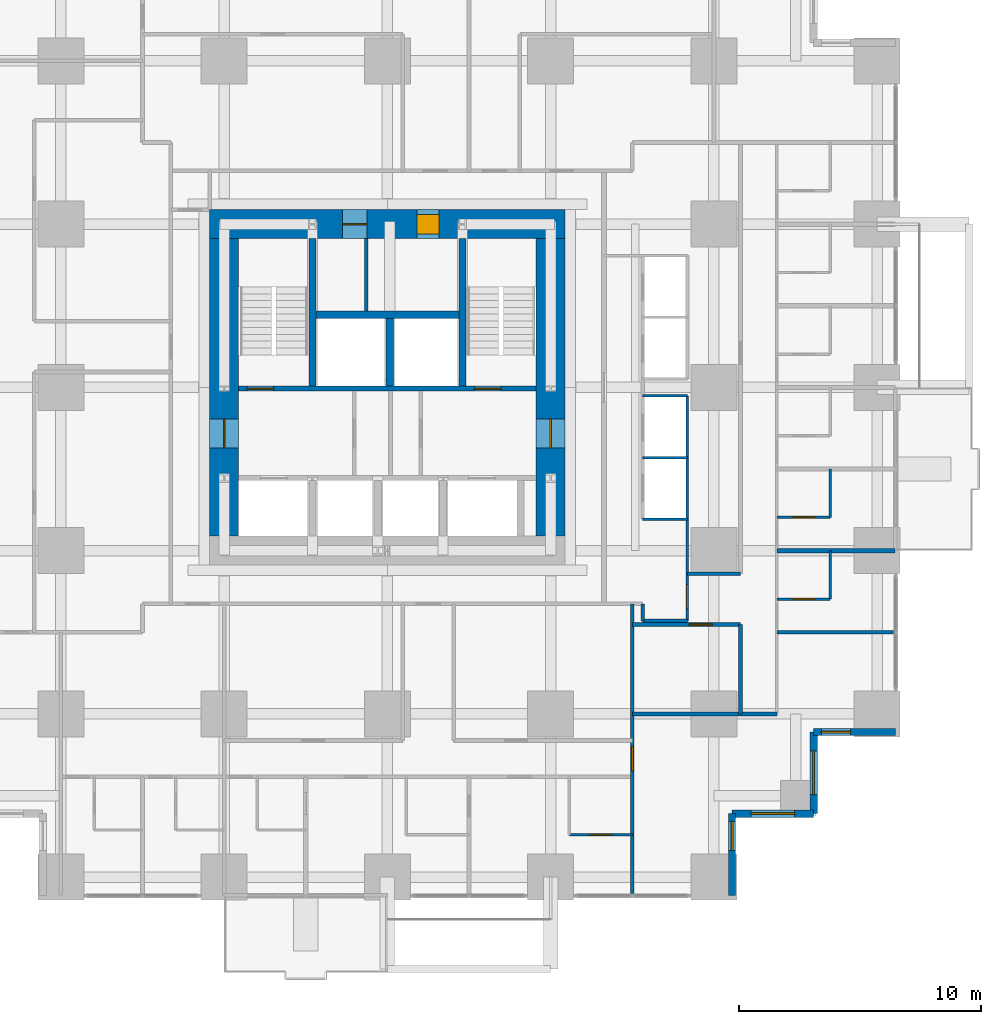
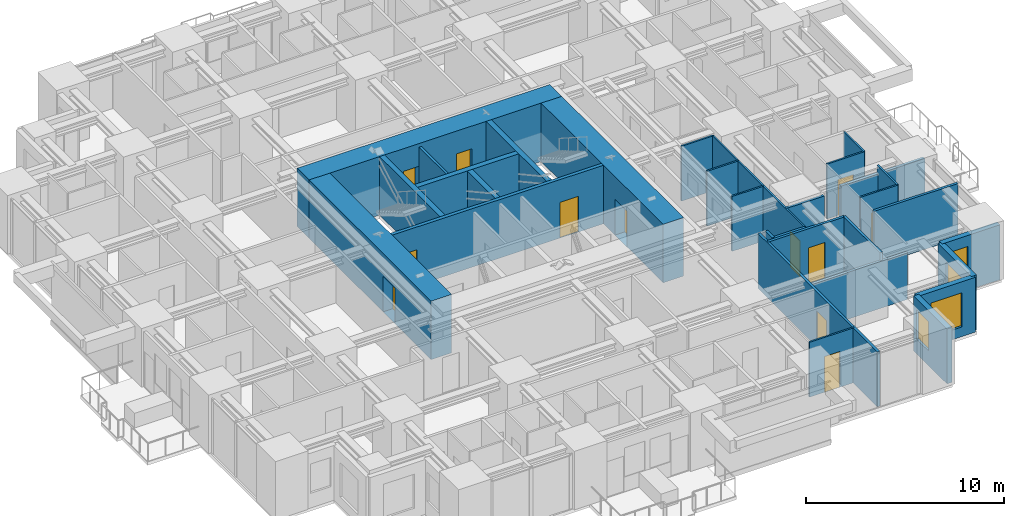
# One storey, part 10 of 15: 31 walls, 12 doors, 4 windows, 16 openings.
"""IFC4 building model written with IfcOpenShell, lengths in metres."""

from ifc_helpers import new_model, si_unit, direction, frame, frame_2d, origin, place, context, subcontext, project, spatial, rectangle, extrude, material, layer, layer_set, type_object, element, fill, save


model = new_model("IFC4")

# Units and contexts
model_context = context("Model", 3, precision=1e-05, world=origin(), true_north=direction((0.0, 1.0)))
body_context = subcontext(model_context, "Body", "Model", "MODEL_VIEW")
ifc_project = project(units=[si_unit("LENGTHUNIT", "METRE"), si_unit("AREAUNIT", "SQUARE_METRE"), si_unit("VOLUMEUNIT", "CUBIC_METRE"), si_unit("PLANEANGLEUNIT", "RADIAN"), si_unit("MASSUNIT", "GRAM", prefix="KILO")], contexts=[model_context])

# Site, building, storey
site_placement = place(None, origin())
site = spatial("IfcSite", under=ifc_project, at=site_placement, CompositionType="ELEMENT")
building_placement = place(site_placement, origin())
building = spatial("IfcBuilding", under=site, at=building_placement, Name="Nyansa Garden Tower", CompositionType="ELEMENT")
storey_placement = place(building_placement, frame((0.0, 0.0, 25.199951171875)))
storey = spatial("IfcBuildingStorey", under=building, at=storey_placement, Name="L06", CompositionType="ELEMENT", Elevation=25.199951171875)

# Wall
ifc_material_1 = material(Name="Dense blockwork, plastered both sides, 55 dB", Category="masonry")
ifc_layer_1 = layer(ifc_material_1, 0.175048828125)
ifc_layer_set_1 = layer_set([ifc_layer_1], Name="Acoustic party wall PW175")
wall_type_1 = type_object("IfcWallType", Name="Acoustic party wall PW175", PredefinedType="PARTITIONING", material=ifc_layer_set_1)
wall_1_placement = place(storey_placement, frame((36.35009765625, 13.5, 0.0), z_axis=(0.0, 0.0, 1.0), x_axis=(1.0, 0.0, 0.0)))
element("IfcWall", 1, at=wall_1_placement, inside=storey, type_object=wall_type_1, Name="Party wall", PredefinedType="PARTITIONING", context=body_context, shape_type="SweptSolid", body=[
    extrude(rectangle(XDim=4.8837890625, YDim=0.175048828125, at=frame_2d((2.44189453125, 0.0))), origin(), (0.0, 0.0, 1.0), 2.876953125),
])

# Wall, openings, doors
ifc_material_2 = material(Name="Concrete C70/85", Category="concrete")
ifc_layer_2 = layer(ifc_material_2, 0.199951171875)
ifc_layer_set_2 = layer_set([ifc_layer_2], Name="Core inner wall CI200")
wall_type_2 = type_object("IfcWallType", Name="Core inner wall CI200", PredefinedType="SHEAR", material=ifc_layer_set_2)
wall_2_placement = place(storey_placement, frame((14.10009765625, 20.199951171875, 0.0), z_axis=(0.0, 0.0, 1.0), x_axis=(1.0, 0.0, 0.0)))
wall_2 = element("IfcWall", 2, at=wall_2_placement, inside=storey, type_object=wall_type_2, Name="Core inner wall L06", PredefinedType="SHEAR", context=body_context, shape_type="SweptSolid", body=[
    extrude(rectangle(XDim=12.2998046875, YDim=0.199951171875, at=frame_2d((6.14990234375, 0.0))), origin(), (0.0, 0.0, 1.0), 3.60009765625),
])
opening_1_placement = place(wall_2_placement, frame((0.35009765625, 0.0, 0.0)))
opening_1 = element("IfcOpeningElement", 3, at=opening_1_placement, cuts=wall_2, Name="Opening D05", PredefinedType="OPENING", context=body_context, shape_type="SweptSolid", body=[
    extrude(rectangle(XDim=1.10009765625, YDim=2.199951171875, at=frame_2d((0.550048828125, 1.10009765625))), frame((0.0, 0.10986328125, 0.0), z_axis=(0.0, -1.0, 0.0), x_axis=(1.0, 0.0, 0.0)), (0.0, 0.0, 1.0), 0.219970703125),
])
opening_2_placement = place(wall_2_placement, frame((9.75, 0.0, 0.0)))
opening_2 = element("IfcOpeningElement", 4, at=opening_2_placement, cuts=wall_2, Name="Opening D05", PredefinedType="OPENING", context=body_context, shape_type="SweptSolid", body=[
    extrude(rectangle(XDim=1.10009765625, YDim=2.199951171875, at=frame_2d((0.550048828125, 1.10009765625))), frame((0.0, 0.10986328125, 0.0), z_axis=(0.0, -1.0, 0.0), x_axis=(1.0, 0.0, 0.0)), (0.0, 0.0, 1.0), 0.219970703125),
])
ifc_material_3 = material(Name="Steel door, 120 minute fire resisting", Category="steel")
door_type_1 = type_object("IfcDoorType", Name="Stair door D05 1100x2200", OperationType="SINGLE_SWING_LEFT", PredefinedType="DOOR", material=ifc_material_3)
door_1_placement = place(opening_1_placement, origin())
door_1 = element("IfcDoor", 5, at=door_1_placement, inside=storey, type_object=door_type_1, Name="Stair S1 door", OperationType="SINGLE_SWING_LEFT", OverallHeight=2.199951171875, OverallWidth=1.10009765625, PredefinedType="DOOR", context=body_context, shape_type="SweptSolid", body=[
    extrude(rectangle(XDim=1.10009765625, YDim=2.199951171875, at=frame_2d((0.550048828125, 1.10009765625))), frame((0.0, 0.02490234375, 0.0), z_axis=(0.0, -1.0, 0.0), x_axis=(1.0, 0.0, 0.0)), (0.0, 0.0, 1.0), 0.050048828125),
])
fill(opening_1, door_1)
door_2_placement = place(opening_2_placement, origin())
door_2 = element("IfcDoor", 6, at=door_2_placement, inside=storey, type_object=door_type_1, Name="Stair S2 door", OperationType="SINGLE_SWING_LEFT", OverallHeight=2.199951171875, OverallWidth=1.10009765625, PredefinedType="DOOR", context=body_context, shape_type="SweptSolid", body=[
    extrude(rectangle(XDim=1.10009765625, YDim=2.199951171875, at=frame_2d((0.550048828125, 1.10009765625))), frame((0.0, 0.02490234375, 0.0), z_axis=(0.0, -1.0, 0.0), x_axis=(1.0, 0.0, 0.0)), (0.0, 0.0, 1.0), 0.050048828125),
])
fill(opening_2, door_2)

# Walls
ifc_material_4 = material(Name="Concrete C70/85", Category="concrete")
ifc_layer_3 = layer(ifc_material_4, 0.300048828125)
ifc_layer_set_3 = layer_set([ifc_layer_3], Name="Core inner wall CI300")
wall_type_3 = type_object("IfcWallType", Name="Core inner wall CI300", PredefinedType="SHEAR", material=ifc_layer_set_3)
for number, where, z_axis, x_axis, name in (
    (7, (17.14990234375, 20.300048828125, 0.0), (0.0, 0.0, 1.0), (0.0, 1.0, 0.0), "Core inner wall L06"),
    (8, (23.35009765625, 20.300048828125, 0.0), (0.0, 0.0, 1.0), (0.0, 1.0, 0.0), "Core inner wall L06"),
):
    element("IfcWall", number, at=place(storey_placement, frame(where, z_axis=z_axis, x_axis=x_axis)), inside=storey, type_object=wall_type_3, Name=name, PredefinedType="SHEAR", context=body_context, shape_type="SweptSolid", body=[
        extrude(rectangle(XDim=6.099853515625, YDim=0.300048828125, at=frame_2d((3.0498046875, 0.0))), origin(), (0.0, 0.0, 1.0), 3.60009765625),
    ])
wall_3_placement = place(storey_placement, frame((20.35009765625, 20.300048828125, 0.0), z_axis=(0.0, 0.0, 1.0), x_axis=(0.0, 1.0, 0.0)))
element("IfcWall", 9, at=wall_3_placement, inside=storey, type_object=wall_type_3, Name="Core inner wall L06", PredefinedType="SHEAR", context=body_context, shape_type="SweptSolid", body=[
    extrude(rectangle(XDim=2.800048828125, YDim=0.300048828125, at=frame_2d((1.39990234375, 0.0))), origin(), (0.0, 0.0, 1.0), 3.60009765625),
])
wall_4_placement = place(storey_placement, frame((17.300048828125, 23.25, 0.0), z_axis=(0.0, 0.0, 1.0), x_axis=(1.0, 0.0, 0.0)))
element("IfcWall", 10, at=wall_4_placement, inside=storey, type_object=wall_type_3, Name="Core inner wall L06", PredefinedType="SHEAR", context=body_context, shape_type="SweptSolid", body=[
    extrude(rectangle(XDim=5.89990234375, YDim=0.300048828125, at=frame_2d((2.949951171875, 0.0))), origin(), (0.0, 0.0, 1.0), 3.60009765625),
])

# Wall, opening, door
ifc_material_5 = material(Name="Concrete C80/95", Category="concrete")
ifc_layer_4 = layer(ifc_material_5, 1.199951171875)
ifc_layer_set_4 = layer_set([ifc_layer_4], Name="Core wall CW1200")
wall_type_4 = type_object("IfcWallType", Name="Core wall CW1200", PredefinedType="SHEAR", material=ifc_layer_set_4)
wall_5_placement = place(storey_placement, frame((27.0, 14.10009765625, 0.0), z_axis=(0.0, 0.0, 1.0), x_axis=(0.0, 1.0, 0.0)))
wall_5 = element("IfcWall", 11, at=wall_5_placement, inside=storey, type_object=wall_type_4, Name="Core wall E L06", PredefinedType="SHEAR", context=body_context, shape_type="SweptSolid", body=[
    extrude(rectangle(XDim=12.2998046875, YDim=1.199951171875, at=frame_2d((6.14990234375, 0.0))), origin(), (0.0, 0.0, 1.0), 3.60009765625),
])
opening_3_placement = place(wall_5_placement, frame((3.64990234375, 0.0, 0.0)))
opening_3 = element("IfcOpeningElement", 12, at=opening_3_placement, cuts=wall_5, Name="Opening D06", PredefinedType="OPENING", context=body_context, shape_type="SweptSolid", body=[
    extrude(rectangle(XDim=1.199951171875, YDim=2.199951171875, at=frame_2d((0.60009765625, 1.10009765625))), frame((0.0, 0.60986328125, 0.0), z_axis=(0.0, -1.0, 0.0), x_axis=(1.0, 0.0, 0.0)), (0.0, 0.0, 1.0), 1.219970703125),
])
ifc_material_6 = material(Name="Steel door, 120 minute fire resisting", Category="steel")
door_type_2 = type_object("IfcDoorType", Name="Lobby door D06 1200x2200", OperationType="DOUBLE_DOOR_SINGLE_SWING", PredefinedType="DOOR", material=ifc_material_6)
door_3_placement = place(opening_3_placement, origin())
door_3 = element("IfcDoor", 13, at=door_3_placement, inside=storey, type_object=door_type_2, Name="Lift lobby door east", OperationType="DOUBLE_DOOR_SINGLE_SWING", OverallHeight=2.199951171875, OverallWidth=1.199951171875, PredefinedType="DOOR", context=body_context, shape_type="SweptSolid", body=[
    extrude(rectangle(XDim=1.199951171875, YDim=2.199951171875, at=frame_2d((0.60009765625, 1.10009765625))), frame((0.0, 0.02490234375, 0.0), z_axis=(0.0, -1.0, 0.0), x_axis=(1.0, 0.0, 0.0)), (0.0, 0.0, 1.0), 0.050048828125),
])
fill(opening_3, door_3)

# Wall, openings, doors
wall_6_placement = place(storey_placement, frame((27.60009765625, 27.0, 0.0), z_axis=(0.0, 0.0, 1.0), x_axis=(-1.0, 0.0, 0.0)))
wall_6 = element("IfcWall", 14, at=wall_6_placement, inside=storey, type_object=wall_type_4, Name="Core wall N L06", PredefinedType="SHEAR", context=body_context, shape_type="SweptSolid", body=[
    extrude(rectangle(XDim=14.7001953125, YDim=1.199951171875, at=frame_2d((7.35009765625, 0.0))), origin(), (0.0, 0.0, 1.0), 3.60009765625),
])
opening_4_placement = place(wall_6_placement, frame((5.22509765625, 0.0, 0.0)))
opening_4 = element("IfcOpeningElement", 15, at=opening_4_placement, cuts=wall_6, Name="Opening D15", PredefinedType="OPENING", context=body_context, shape_type="SweptSolid", body=[
    extrude(rectangle(XDim=0.89990234375, YDim=2.199951171875, at=frame_2d((0.449951171875, 1.10009765625))), frame((0.0, 0.60986328125, 0.0), z_axis=(0.0, -1.0, 0.0), x_axis=(1.0, 0.0, 0.0)), (0.0, 0.0, 1.0), 1.219970703125),
])
opening_5_placement = place(wall_6_placement, frame((8.199951171875, 0.0, 0.0)))
opening_5 = element("IfcOpeningElement", 16, at=opening_5_placement, cuts=wall_6, Name="Opening D07", PredefinedType="OPENING", context=body_context, shape_type="SweptSolid", body=[
    extrude(rectangle(XDim=1.0, YDim=2.199951171875, at=frame_2d((0.5, 1.10009765625))), frame((0.0, 0.60986328125, 0.0), z_axis=(0.0, -1.0, 0.0), x_axis=(1.0, 0.0, 0.0)), (0.0, 0.0, 1.0), 1.219970703125),
])
ifc_material_7 = material(Name="Timber flush door, 60 minute fire resisting, self-closing", Category="wood")
door_type_3 = type_object("IfcDoorType", Name="Core room door D15 900x2200", OperationType="SINGLE_SWING_LEFT", PredefinedType="DOOR", material=ifc_material_7)
door_4_placement = place(opening_4_placement, origin())
door_4 = element("IfcDoor", 17, at=door_4_placement, inside=storey, type_object=door_type_3, Name="Core room door", OperationType="SINGLE_SWING_LEFT", OverallHeight=2.199951171875, OverallWidth=0.89990234375, PredefinedType="DOOR", context=body_context, shape_type="SweptSolid", body=[
    extrude(rectangle(XDim=0.89990234375, YDim=2.199951171875, at=frame_2d((0.449951171875, 1.10009765625))), frame((0.0, 0.39990234375, 0.0), z_axis=(0.0, -1.0, 0.0), x_axis=(1.0, 0.0, 0.0)), (0.0, 0.0, 1.0), 0.800048828125),
])
fill(opening_4, door_4)
ifc_material_8 = material(Name="Steel door, 120 minute fire resisting", Category="steel")
door_type_4 = type_object("IfcDoorType", Name="Riser door D07 1000x2200", OperationType="SINGLE_SWING_LEFT", PredefinedType="DOOR", material=ifc_material_8)
door_5_placement = place(opening_5_placement, origin())
door_5 = element("IfcDoor", 18, at=door_5_placement, inside=storey, type_object=door_type_4, Name="Riser and refuse room door", OperationType="SINGLE_SWING_LEFT", OverallHeight=2.199951171875, OverallWidth=1.0, PredefinedType="DOOR", context=body_context, shape_type="SweptSolid", body=[
    extrude(rectangle(XDim=1.0, YDim=2.199951171875, at=frame_2d((0.5, 1.10009765625))), frame((0.0, 0.02490234375, 0.0), z_axis=(0.0, -1.0, 0.0), x_axis=(1.0, 0.0, 0.0)), (0.0, 0.0, 1.0), 0.050048828125),
])
fill(opening_5, door_5)

# Wall, opening, door
wall_7_placement = place(storey_placement, frame((13.5, 26.39990234375, 0.0), z_axis=(0.0, 0.0, 1.0), x_axis=(0.0, -1.0, 0.0)))
wall_7 = element("IfcWall", 19, at=wall_7_placement, inside=storey, type_object=wall_type_4, Name="Core wall W L06", PredefinedType="SHEAR", context=body_context, shape_type="SweptSolid", body=[
    extrude(rectangle(XDim=12.2998046875, YDim=1.199951171875, at=frame_2d((6.14990234375, 0.0))), origin(), (0.0, 0.0, 1.0), 3.60009765625),
])
opening_6_placement = place(wall_7_placement, frame((7.449951171875, 0.0, 0.0)))
opening_6 = element("IfcOpeningElement", 20, at=opening_6_placement, cuts=wall_7, Name="Opening D06", PredefinedType="OPENING", context=body_context, shape_type="SweptSolid", body=[
    extrude(rectangle(XDim=1.199951171875, YDim=2.199951171875, at=frame_2d((0.60009765625, 1.10009765625))), frame((0.0, 0.60986328125, 0.0), z_axis=(0.0, -1.0, 0.0), x_axis=(1.0, 0.0, 0.0)), (0.0, 0.0, 1.0), 1.219970703125),
])
door_6_placement = place(opening_6_placement, origin())
door_6 = element("IfcDoor", 21, at=door_6_placement, inside=storey, type_object=door_type_2, Name="Lift lobby door west", OperationType="DOUBLE_DOOR_SINGLE_SWING", OverallHeight=2.199951171875, OverallWidth=1.199951171875, PredefinedType="DOOR", context=body_context, shape_type="SweptSolid", body=[
    extrude(rectangle(XDim=1.199951171875, YDim=2.199951171875, at=frame_2d((0.60009765625, 1.10009765625))), frame((0.0, 0.02490234375, 0.0), z_axis=(0.0, -1.0, 0.0), x_axis=(1.0, 0.0, 0.0)), (0.0, 0.0, 1.0), 0.050048828125),
])
fill(opening_6, door_6)

# Walls
ifc_material_9 = material(Name="Steel-stud shaft wall, two layers fire-rated board, EI 120", Category="steel")
ifc_layer_5 = layer(ifc_material_9, 0.10009765625)
ifc_layer_set_5 = layer_set([ifc_layer_5], Name="Lift shaft wall SW100")
wall_type_5 = type_object("IfcWallType", Name="Lift shaft wall SW100", PredefinedType="SHEAR", material=ifc_layer_set_5)
for number, where, z_axis, x_axis, name in (
    (22, (30.800048828125, 14.800048828125, 0.0), (0.0, 0.0, 1.0), (1.0, 0.0, 0.0), "Lift shaft wall"),
    (23, (30.800048828125, 17.35009765625, 0.0), (0.0, 0.0, 1.0), (1.0, 0.0, 0.0), "Lift shaft wall"),
    (24, (30.800048828125, 19.89990234375, 0.0), (0.0, 0.0, 1.0), (1.0, 0.0, 0.0), "Lift shaft wall"),
):
    element("IfcWall", number, at=place(storey_placement, frame(where, z_axis=z_axis, x_axis=x_axis)), inside=storey, type_object=wall_type_5, Name=name, PredefinedType="SHEAR", context=body_context, shape_type="SweptSolid", body=[
        extrude(rectangle(XDim=1.849853515625, YDim=0.10009765625, at=frame_2d((0.9248046875, 0.0))), origin(), (0.0, 0.0, 1.0), 3.375),
    ])

# Wall, opening, door
wall_8_placement = place(storey_placement, frame((32.64990234375, 10.60009765625, 0.0), z_axis=(0.0, 0.0, 1.0), x_axis=(0.0, 1.0, 0.0)))
wall_8 = element("IfcWall", 25, at=wall_8_placement, inside=storey, type_object=wall_type_5, Name="Lift shaft wall", PredefinedType="SHEAR", context=body_context, shape_type="SweptSolid", body=[
    extrude(rectangle(XDim=9.2998046875, YDim=0.10009765625, at=frame_2d((4.64990234375, 0.0))), origin(), (0.0, 0.0, 1.0), 3.375),
])
opening_7_placement = place(wall_8_placement, frame((0.5, 0.0, 0.0)))
opening_7 = element("IfcOpeningElement", 26, at=opening_7_placement, cuts=wall_8, Name="Opening D03", PredefinedType="OPENING", context=body_context, shape_type="SweptSolid", body=[
    extrude(rectangle(XDim=1.0, YDim=2.199951171875, at=frame_2d((0.5, 1.10009765625))), frame((0.0, 0.06005859375, 0.0), z_axis=(0.0, -1.0, 0.0), x_axis=(1.0, 0.0, 0.0)), (0.0, 0.0, 1.0), 0.1201171875),
])
ifc_material_10 = material(Name="Timber flush door, 60 minute fire resisting", Category="wood")
door_type_5 = type_object("IfcDoorType", Name="Cluster entrance door D03 1000x2200", OperationType="SINGLE_SWING_LEFT", PredefinedType="DOOR", material=ifc_material_10)
door_7_placement = place(opening_7_placement, origin())
door_7 = element("IfcDoor", 27, at=door_7_placement, inside=storey, type_object=door_type_5, Name="Door L06-046", OperationType="SINGLE_SWING_LEFT", OverallHeight=2.199951171875, OverallWidth=1.0, PredefinedType="DOOR", context=body_context, shape_type="SweptSolid", body=[
    extrude(rectangle(XDim=1.0, YDim=2.199951171875, at=frame_2d((0.5, 1.10009765625))), frame((0.0, 0.02490234375, 0.0), z_axis=(0.0, -1.0, 0.0), x_axis=(1.0, 0.0, 0.0)), (0.0, 0.0, 1.0), 0.050048828125),
])
fill(opening_7, door_7)

# Wall
ifc_material_11 = material(Name="Blockwork, plastered both sides", Category="masonry")
ifc_layer_6 = layer(ifc_material_11, 0.14990234375)
ifc_layer_set_6 = layer_set([ifc_layer_6], Name="Partition PW150")
wall_type_6 = type_object("IfcWallType", Name="Partition PW150", PredefinedType="PARTITIONING", material=ifc_layer_set_6)
wall_9_placement = place(storey_placement, frame((19.375, 23.39990234375, 0.0), z_axis=(0.0, 0.0, 1.0), x_axis=(0.0, 1.0, 0.0)))
element("IfcWall", 28, at=wall_9_placement, inside=storey, type_object=wall_type_6, Name="Partition", PredefinedType="PARTITIONING", context=body_context, shape_type="SweptSolid", body=[
    extrude(rectangle(XDim=3.0, YDim=0.14990234375, at=frame_2d((1.5, 0.0))), origin(), (0.0, 0.0, 1.0), 3.375),
])

# Wall, opening, door
wall_10_placement = place(storey_placement, frame((30.375, -0.73388671875, 0.0), z_axis=(0.0, 0.0, 1.0), x_axis=(0.0, 1.0, 0.0)))
wall_10 = element("IfcWall", 29, at=wall_10_placement, inside=storey, type_object=wall_type_6, Name="Partition", PredefinedType="PARTITIONING", context=body_context, shape_type="SweptSolid", body=[
    extrude(rectangle(XDim=12.033935546875, YDim=0.14990234375, at=frame_2d((6.01708984375, 0.0))), origin(), (0.0, 0.0, 1.0), 3.375),
])
opening_8_placement = place(wall_10_placement, frame((5.134033203125, 0.0, 0.0)))
opening_8 = element("IfcOpeningElement", 30, at=opening_8_placement, cuts=wall_10, Name="Opening D03", PredefinedType="OPENING", context=body_context, shape_type="SweptSolid", body=[
    extrude(rectangle(XDim=1.0, YDim=2.199951171875, at=frame_2d((0.5, 1.10009765625))), frame((0.0, 0.0849609375, 0.0), z_axis=(0.0, -1.0, 0.0), x_axis=(1.0, 0.0, 0.0)), (0.0, 0.0, 1.0), 0.169921875),
])
door_8_placement = place(opening_8_placement, origin())
door_8 = element("IfcDoor", 31, at=door_8_placement, inside=storey, type_object=door_type_5, Name="Door L06-033", OperationType="SINGLE_SWING_LEFT", OverallHeight=2.199951171875, OverallWidth=1.0, PredefinedType="DOOR", context=body_context, shape_type="SweptSolid", body=[
    extrude(rectangle(XDim=1.0, YDim=2.199951171875, at=frame_2d((0.5, 1.10009765625))), frame((0.0, 0.02490234375, 0.0), z_axis=(0.0, -1.0, 0.0), x_axis=(1.0, 0.0, 0.0)), (0.0, 0.0, 1.0), 0.050048828125),
])
fill(opening_8, door_8)

# Wall
wall_11_placement = place(storey_placement, frame((30.375, 6.75, 0.0), z_axis=(0.0, 0.0, 1.0), x_axis=(1.0, 0.0, 0.0)))
element("IfcWall", 32, at=wall_11_placement, inside=storey, type_object=wall_type_6, Name="Partition", PredefinedType="PARTITIONING", context=body_context, shape_type="SweptSolid", body=[
    extrude(rectangle(XDim=5.97509765625, YDim=0.14990234375, at=frame_2d((2.987548828125, 0.0))), origin(), (0.0, 0.0, 1.0), 2.876953125),
])

# Wall, opening, door
wall_12_placement = place(storey_placement, frame((30.375, 10.449951171875, 0.0), z_axis=(0.0, 0.0, 1.0), x_axis=(1.0, 0.0, 0.0)))
wall_12 = element("IfcWall", 33, at=wall_12_placement, inside=storey, type_object=wall_type_6, Name="Partition", PredefinedType="PARTITIONING", context=body_context, shape_type="SweptSolid", body=[
    extrude(rectangle(XDim=4.47509765625, YDim=0.14990234375, at=frame_2d((2.237548828125, 0.0))), origin(), (0.0, 0.0, 1.0), 3.375),
])
opening_9_placement = place(wall_12_placement, frame((2.35009765625, 0.0, 0.0)))
opening_9 = element("IfcOpeningElement", 34, at=opening_9_placement, cuts=wall_12, Name="Opening D01", PredefinedType="OPENING", context=body_context, shape_type="SweptSolid", body=[
    extrude(rectangle(XDim=0.949951171875, YDim=2.199951171875, at=frame_2d((0.47509765625, 1.10009765625))), frame((0.0, 0.0849609375, 0.0), z_axis=(0.0, -1.0, 0.0), x_axis=(1.0, 0.0, 0.0)), (0.0, 0.0, 1.0), 0.169921875),
])
ifc_material_12 = material(Name="Timber flush door, 30 minute fire resisting", Category="wood")
door_type_6 = type_object("IfcDoorType", Name="Bedroom door D01 950x2200", OperationType="SINGLE_SWING_LEFT", PredefinedType="DOOR", material=ifc_material_12)
door_9_placement = place(opening_9_placement, origin())
door_9 = element("IfcDoor", 35, at=door_9_placement, inside=storey, type_object=door_type_6, Name="Door L06-048", OperationType="SINGLE_SWING_LEFT", OverallHeight=2.199951171875, OverallWidth=0.949951171875, PredefinedType="DOOR", context=body_context, shape_type="SweptSolid", body=[
    extrude(rectangle(XDim=0.949951171875, YDim=2.199951171875, at=frame_2d((0.47509765625, 1.10009765625))), frame((0.0, 0.02490234375, 0.0), z_axis=(0.0, -1.0, 0.0), x_axis=(1.0, 0.0, 0.0)), (0.0, 0.0, 1.0), 0.050048828125),
])
fill(opening_9, door_9)

# Walls
wall_13_placement = place(storey_placement, frame((30.800048828125, 10.60009765625, 0.0), z_axis=(0.0, 0.0, 1.0), x_axis=(0.0, 1.0, 0.0)))
element("IfcWall", 36, at=wall_13_placement, inside=storey, type_object=wall_type_6, Name="Partition", PredefinedType="PARTITIONING", context=body_context, shape_type="SweptSolid", body=[
    extrude(rectangle(XDim=0.699951171875, YDim=0.14990234375, at=frame_2d((0.35009765625, 0.0))), origin(), (0.0, 0.0, 1.0), 3.375),
])
wall_14_placement = place(storey_placement, frame((30.800048828125, 10.60009765625, 0.0), z_axis=(0.0, 0.0, 1.0), x_axis=(1.0, 0.0, 0.0)))
element("IfcWall", 37, at=wall_14_placement, inside=storey, type_object=wall_type_6, Name="Partition", PredefinedType="PARTITIONING", context=body_context, shape_type="SweptSolid", body=[
    extrude(rectangle(XDim=1.849853515625, YDim=0.14990234375, at=frame_2d((0.9248046875, 0.0))), origin(), (0.0, 0.0, 1.0), 3.375),
])
wall_15_placement = place(storey_placement, frame((32.64990234375, 12.550048828125, 0.0), z_axis=(0.0, 0.0, 1.0), x_axis=(1.0, 0.0, 0.0)))
element("IfcWall", 38, at=wall_15_placement, inside=storey, type_object=wall_type_6, Name="Partition", PredefinedType="PARTITIONING", context=body_context, shape_type="SweptSolid", body=[
    extrude(rectangle(XDim=2.2001953125, YDim=0.14990234375, at=frame_2d((1.10009765625, 0.0))), origin(), (0.0, 0.0, 1.0), 3.375),
])
wall_16_placement = place(storey_placement, frame((34.85009765625, 6.75, 0.0), z_axis=(0.0, 0.0, 1.0), x_axis=(0.0, 1.0, 0.0)))
element("IfcWall", 39, at=wall_16_placement, inside=storey, type_object=wall_type_6, Name="Partition", PredefinedType="PARTITIONING", context=body_context, shape_type="SweptSolid", body=[
    extrude(rectangle(XDim=3.699951171875, YDim=0.14990234375, at=frame_2d((1.85009765625, 0.0))), origin(), (0.0, 0.0, 1.0), 3.375),
])
wall_17_placement = place(storey_placement, frame((36.35009765625, 10.125, 0.0), z_axis=(0.0, 0.0, 1.0), x_axis=(1.0, 0.0, 0.0)))
element("IfcWall", 40, at=wall_17_placement, inside=storey, type_object=wall_type_6, Name="Partition", PredefinedType="PARTITIONING", context=body_context, shape_type="SweptSolid", body=[
    extrude(rectangle(XDim=4.8837890625, YDim=0.14990234375, at=frame_2d((2.44189453125, 0.0))), origin(), (0.0, 0.0, 1.0), 3.375),
])

# Wall, opening, window
ifc_material_13 = material(Name="Turquoise glazed tile on concrete blockwork", Category="masonry")
ifc_layer_7 = layer(ifc_material_13, 0.300048828125)
ifc_layer_set_7 = layer_set([ifc_layer_7], Name="Tiled corner wall TW300")
wall_type_7 = type_object("IfcWallType", Name="Tiled corner wall TW300", PredefinedType="SOLIDWALL", material=ifc_layer_set_7)
wall_18_placement = place(storey_placement, frame((34.5, -0.75, 0.0), z_axis=(0.0, 0.0, 1.0), x_axis=(0.0, 1.0, 0.0)))
wall_18 = element("IfcWall", 41, at=wall_18_placement, inside=storey, type_object=wall_type_7, Name="Tiled corner wall L06", PredefinedType="SOLIDWALL", context=body_context, shape_type="SweptSolid", body=[
    extrude(rectangle(XDim=3.375, YDim=0.300048828125, at=frame_2d((1.6875, 0.0))), origin(), (0.0, 0.0, 1.0), 3.375),
])
opening_10_placement = place(wall_18_placement, frame((1.857421875, 0.0, 0.89990234375)))
opening_10 = element("IfcOpeningElement", 42, at=opening_10_placement, cuts=wall_18, Name="Opening W4", PredefinedType="OPENING", context=body_context, shape_type="SweptSolid", body=[
    extrude(rectangle(XDim=1.199951171875, YDim=1.800048828125, at=frame_2d((0.60009765625, 0.89990234375))), frame((0.0, 0.159912109375, 0.0), z_axis=(0.0, -1.0, 0.0), x_axis=(1.0, 0.0, 0.0)), (0.0, 0.0, 1.0), 0.320068359375),
])
ifc_material_14 = material(Name="Black aluminium frame, dark tinted double glazing", Category="aluminium")
window_type_1 = type_object("IfcWindowType", Name="Window W4 1200x1800", PartitioningType="SINGLE_PANEL", PredefinedType="WINDOW", material=ifc_material_14)
window_1_placement = place(opening_10_placement, origin())
window_1 = element("IfcWindow", 43, at=window_1_placement, inside=storey, type_object=window_type_1, Name="Corner window L06", OverallHeight=1.800048828125, OverallWidth=1.199951171875, PartitioningType="SINGLE_PANEL", PredefinedType="WINDOW", context=body_context, shape_type="SweptSolid", body=[
    extrude(rectangle(XDim=1.199951171875, YDim=1.800048828125, at=frame_2d((0.60009765625, 0.89990234375))), frame((0.0, 0.030029296875, 0.0), z_axis=(0.0, -1.0, 0.0), x_axis=(1.0, 0.0, 0.0)), (0.0, 0.0, 1.0), 0.06005859375),
])
fill(opening_10, window_1)

wall_19_placement = place(storey_placement, frame((34.5, 2.625, 0.0), z_axis=(0.0, 0.0, 1.0), x_axis=(1.0, 0.0, 0.0)))
wall_19 = element("IfcWall", 44, at=wall_19_placement, inside=storey, type_object=wall_type_7, Name="Tiled corner wall L06", PredefinedType="SOLIDWALL", context=body_context, shape_type="SweptSolid", body=[
    extrude(rectangle(XDim=3.375, YDim=0.300048828125, at=frame_2d((1.6875, 0.0))), origin(), (0.0, 0.0, 1.0), 3.375),
])
opening_11_placement = place(wall_19_placement, frame((0.78759765625, 0.0, 0.60009765625)))
opening_11 = element("IfcOpeningElement", 45, at=opening_11_placement, cuts=wall_19, Name="Opening W2", PredefinedType="OPENING", context=body_context, shape_type="SweptSolid", body=[
    extrude(rectangle(XDim=1.800048828125, YDim=2.10009765625, at=frame_2d((0.89990234375, 1.050048828125))), frame((0.0, 0.159912109375, 0.0), z_axis=(0.0, -1.0, 0.0), x_axis=(1.0, 0.0, 0.0)), (0.0, 0.0, 1.0), 0.320068359375),
])
ifc_material_15 = material(Name="Black aluminium frame, dark tinted double glazing", Category="aluminium")
window_type_2 = type_object("IfcWindowType", Name="Window W2 1800x2100", PartitioningType="SINGLE_PANEL", PredefinedType="WINDOW", material=ifc_material_15)
window_2_placement = place(opening_11_placement, origin())
window_2 = element("IfcWindow", 46, at=window_2_placement, inside=storey, type_object=window_type_2, Name="Corner window L06", OverallHeight=2.10009765625, OverallWidth=1.800048828125, PartitioningType="SINGLE_PANEL", PredefinedType="WINDOW", context=body_context, shape_type="SweptSolid", body=[
    extrude(rectangle(XDim=1.800048828125, YDim=2.10009765625, at=frame_2d((0.89990234375, 1.050048828125))), frame((0.0, 0.030029296875, 0.0), z_axis=(0.0, -1.0, 0.0), x_axis=(1.0, 0.0, 0.0)), (0.0, 0.0, 1.0), 0.06005859375),
])
fill(opening_11, window_2)

wall_20_placement = place(storey_placement, frame((37.875, 2.625, 0.0), z_axis=(0.0, 0.0, 1.0), x_axis=(0.0, 1.0, 0.0)))
wall_20 = element("IfcWall", 47, at=wall_20_placement, inside=storey, type_object=wall_type_7, Name="Tiled corner wall L06", PredefinedType="SOLIDWALL", context=body_context, shape_type="SweptSolid", body=[
    extrude(rectangle(XDim=3.375, YDim=0.300048828125, at=frame_2d((1.6875, 0.0))), origin(), (0.0, 0.0, 1.0), 3.375),
])
opening_12_placement = place(wall_20_placement, frame((0.78759765625, 0.0, 0.60009765625)))
opening_12 = element("IfcOpeningElement", 48, at=opening_12_placement, cuts=wall_20, Name="Opening W2", PredefinedType="OPENING", context=body_context, shape_type="SweptSolid", body=[
    extrude(rectangle(XDim=1.800048828125, YDim=2.10009765625, at=frame_2d((0.89990234375, 1.050048828125))), frame((0.0, 0.159912109375, 0.0), z_axis=(0.0, -1.0, 0.0), x_axis=(1.0, 0.0, 0.0)), (0.0, 0.0, 1.0), 0.320068359375),
])
window_3_placement = place(opening_12_placement, origin())
window_3 = element("IfcWindow", 49, at=window_3_placement, inside=storey, type_object=window_type_2, Name="Corner window L06", OverallHeight=2.10009765625, OverallWidth=1.800048828125, PartitioningType="SINGLE_PANEL", PredefinedType="WINDOW", context=body_context, shape_type="SweptSolid", body=[
    extrude(rectangle(XDim=1.800048828125, YDim=2.10009765625, at=frame_2d((0.89990234375, 1.050048828125))), frame((0.0, 0.030029296875, 0.0), z_axis=(0.0, -1.0, 0.0), x_axis=(1.0, 0.0, 0.0)), (0.0, 0.0, 1.0), 0.06005859375),
])
fill(opening_12, window_3)

wall_21_placement = place(storey_placement, frame((37.875, 6.0, 0.0), z_axis=(0.0, 0.0, 1.0), x_axis=(1.0, 0.0, 0.0)))
wall_21 = element("IfcWall", 50, at=wall_21_placement, inside=storey, type_object=wall_type_7, Name="Tiled corner wall L06", PredefinedType="SOLIDWALL", context=body_context, shape_type="SweptSolid", body=[
    extrude(rectangle(XDim=3.375, YDim=0.300048828125, at=frame_2d((1.6875, 0.0))), origin(), (0.0, 0.0, 1.0), 3.375),
])
opening_13_placement = place(wall_21_placement, frame((0.3173828125, 0.0, 0.89990234375)))
opening_13 = element("IfcOpeningElement", 51, at=opening_13_placement, cuts=wall_21, Name="Opening W4", PredefinedType="OPENING", context=body_context, shape_type="SweptSolid", body=[
    extrude(rectangle(XDim=1.199951171875, YDim=1.800048828125, at=frame_2d((0.60009765625, 0.89990234375))), frame((0.0, 0.159912109375, 0.0), z_axis=(0.0, -1.0, 0.0), x_axis=(1.0, 0.0, 0.0)), (0.0, 0.0, 1.0), 0.320068359375),
])
window_4_placement = place(opening_13_placement, origin())
window_4 = element("IfcWindow", 52, at=window_4_placement, inside=storey, type_object=window_type_1, Name="Corner window L06", OverallHeight=1.800048828125, OverallWidth=1.199951171875, PartitioningType="SINGLE_PANEL", PredefinedType="WINDOW", context=body_context, shape_type="SweptSolid", body=[
    extrude(rectangle(XDim=1.199951171875, YDim=1.800048828125, at=frame_2d((0.60009765625, 0.89990234375))), frame((0.0, 0.030029296875, 0.0), z_axis=(0.0, -1.0, 0.0), x_axis=(1.0, 0.0, 0.0)), (0.0, 0.0, 1.0), 0.06005859375),
])
fill(opening_13, window_4)

# Wall, opening, door
ifc_material_16 = material(Name="Moisture resistant board on steel studs, tiled", Category="steel")
ifc_layer_8 = layer(ifc_material_16, 0.10009765625)
ifc_layer_set_8 = layer_set([ifc_layer_8], Name="Wet wall PW100")
wall_type_8 = type_object("IfcWallType", Name="Wet wall PW100", PredefinedType="PARTITIONING", material=ifc_layer_set_8)
wall_22_placement = place(storey_placement, frame((27.77490234375, 1.75, 0.0), z_axis=(0.0, 0.0, 1.0), x_axis=(1.0, 0.0, 0.0)))
wall_22 = element("IfcWall", 53, at=wall_22_placement, inside=storey, type_object=wall_type_8, Name="Wet wall", PredefinedType="PARTITIONING", context=body_context, shape_type="SweptSolid", body=[
    extrude(rectangle(XDim=2.60009765625, YDim=0.10009765625, at=frame_2d((1.300048828125, 0.0))), origin(), (0.0, 0.0, 1.0), 3.375),
])
opening_14_placement = place(wall_22_placement, frame((0.85009765625, 0.0, 0.0)))
opening_14 = element("IfcOpeningElement", 54, at=opening_14_placement, cuts=wall_22, Name="Opening D02", PredefinedType="OPENING", context=body_context, shape_type="SweptSolid", body=[
    extrude(rectangle(XDim=0.89990234375, YDim=2.199951171875, at=frame_2d((0.449951171875, 1.10009765625))), frame((0.0, 0.06005859375, 0.0), z_axis=(0.0, -1.0, 0.0), x_axis=(1.0, 0.0, 0.0)), (0.0, 0.0, 1.0), 0.1201171875),
])
ifc_material_17 = material(Name="Timber flush door", Category="wood")
door_type_7 = type_object("IfcDoorType", Name="En-suite door D02 900x2200", OperationType="SINGLE_SWING_RIGHT", PredefinedType="DOOR", material=ifc_material_17)
door_10_placement = place(opening_14_placement, origin())
door_10 = element("IfcDoor", 55, at=door_10_placement, inside=storey, type_object=door_type_7, Name="Door L06-025", OperationType="SINGLE_SWING_RIGHT", OverallHeight=2.199951171875, OverallWidth=0.89990234375, PredefinedType="DOOR", context=body_context, shape_type="SweptSolid", body=[
    extrude(rectangle(XDim=0.89990234375, YDim=2.199951171875, at=frame_2d((0.449951171875, 1.10009765625))), frame((0.0, 0.02490234375, 0.0), z_axis=(0.0, -1.0, 0.0), x_axis=(1.0, 0.0, 0.0)), (0.0, 0.0, 1.0), 0.050048828125),
])
fill(opening_14, door_10)

wall_23_placement = place(storey_placement, frame((36.35009765625, 11.5, 0.0), z_axis=(0.0, 0.0, 1.0), x_axis=(1.0, 0.0, 0.0)))
wall_23 = element("IfcWall", 56, at=wall_23_placement, inside=storey, type_object=wall_type_8, Name="Wet wall", PredefinedType="PARTITIONING", context=body_context, shape_type="SweptSolid", body=[
    extrude(rectangle(XDim=2.199951171875, YDim=0.10009765625, at=frame_2d((1.10009765625, 0.0))), origin(), (0.0, 0.0, 1.0), 3.375),
])
opening_15_placement = place(wall_23_placement, frame((0.64990234375, 0.0, 0.0)))
opening_15 = element("IfcOpeningElement", 57, at=opening_15_placement, cuts=wall_23, Name="Opening D02", PredefinedType="OPENING", context=body_context, shape_type="SweptSolid", body=[
    extrude(rectangle(XDim=0.89990234375, YDim=2.199951171875, at=frame_2d((0.449951171875, 1.10009765625))), frame((0.0, 0.06005859375, 0.0), z_axis=(0.0, -1.0, 0.0), x_axis=(1.0, 0.0, 0.0)), (0.0, 0.0, 1.0), 0.1201171875),
])
door_11_placement = place(opening_15_placement, origin())
door_11 = element("IfcDoor", 58, at=door_11_placement, inside=storey, type_object=door_type_7, Name="Door L06-035", OperationType="SINGLE_SWING_RIGHT", OverallHeight=2.199951171875, OverallWidth=0.89990234375, PredefinedType="DOOR", context=body_context, shape_type="SweptSolid", body=[
    extrude(rectangle(XDim=0.89990234375, YDim=2.199951171875, at=frame_2d((0.449951171875, 1.10009765625))), frame((0.0, 0.02490234375, 0.0), z_axis=(0.0, -1.0, 0.0), x_axis=(1.0, 0.0, 0.0)), (0.0, 0.0, 1.0), 0.050048828125),
])
fill(opening_15, door_11)

wall_24_placement = place(storey_placement, frame((36.35009765625, 14.875, 0.0), z_axis=(0.0, 0.0, 1.0), x_axis=(1.0, 0.0, 0.0)))
wall_24 = element("IfcWall", 59, at=wall_24_placement, inside=storey, type_object=wall_type_8, Name="Wet wall", PredefinedType="PARTITIONING", context=body_context, shape_type="SweptSolid", body=[
    extrude(rectangle(XDim=2.199951171875, YDim=0.10009765625, at=frame_2d((1.10009765625, 0.0))), origin(), (0.0, 0.0, 1.0), 3.375),
])
opening_16_placement = place(wall_24_placement, frame((0.64990234375, 0.0, 0.0)))
opening_16 = element("IfcOpeningElement", 60, at=opening_16_placement, cuts=wall_24, Name="Opening D02", PredefinedType="OPENING", context=body_context, shape_type="SweptSolid", body=[
    extrude(rectangle(XDim=0.89990234375, YDim=2.199951171875, at=frame_2d((0.449951171875, 1.10009765625))), frame((0.0, 0.06005859375, 0.0), z_axis=(0.0, -1.0, 0.0), x_axis=(1.0, 0.0, 0.0)), (0.0, 0.0, 1.0), 0.1201171875),
])
door_12_placement = place(opening_16_placement, origin())
door_12 = element("IfcDoor", 61, at=door_12_placement, inside=storey, type_object=door_type_7, Name="Door L06-037", OperationType="SINGLE_SWING_RIGHT", OverallHeight=2.199951171875, OverallWidth=0.89990234375, PredefinedType="DOOR", context=body_context, shape_type="SweptSolid", body=[
    extrude(rectangle(XDim=0.89990234375, YDim=2.199951171875, at=frame_2d((0.449951171875, 1.10009765625))), frame((0.0, 0.02490234375, 0.0), z_axis=(0.0, -1.0, 0.0), x_axis=(1.0, 0.0, 0.0)), (0.0, 0.0, 1.0), 0.050048828125),
])
fill(opening_16, door_12)

# Walls
for number, where, z_axis, x_axis, name in (
    (62, (38.550048828125, 11.5, 0.0), (0.0, 0.0, 1.0), (0.0, 1.0, 0.0), "Wet wall"),
    (63, (38.550048828125, 14.875, 0.0), (0.0, 0.0, 1.0), (0.0, 1.0, 0.0), "Wet wall"),
):
    element("IfcWall", number, at=place(storey_placement, frame(where, z_axis=z_axis, x_axis=x_axis)), inside=storey, type_object=wall_type_8, Name=name, PredefinedType="PARTITIONING", context=body_context, shape_type="SweptSolid", body=[
        extrude(rectangle(XDim=2.0, YDim=0.10009765625, at=frame_2d((1.0, 0.0))), origin(), (0.0, 0.0, 1.0), 3.375),
    ])

save(model, "model.ifc")
